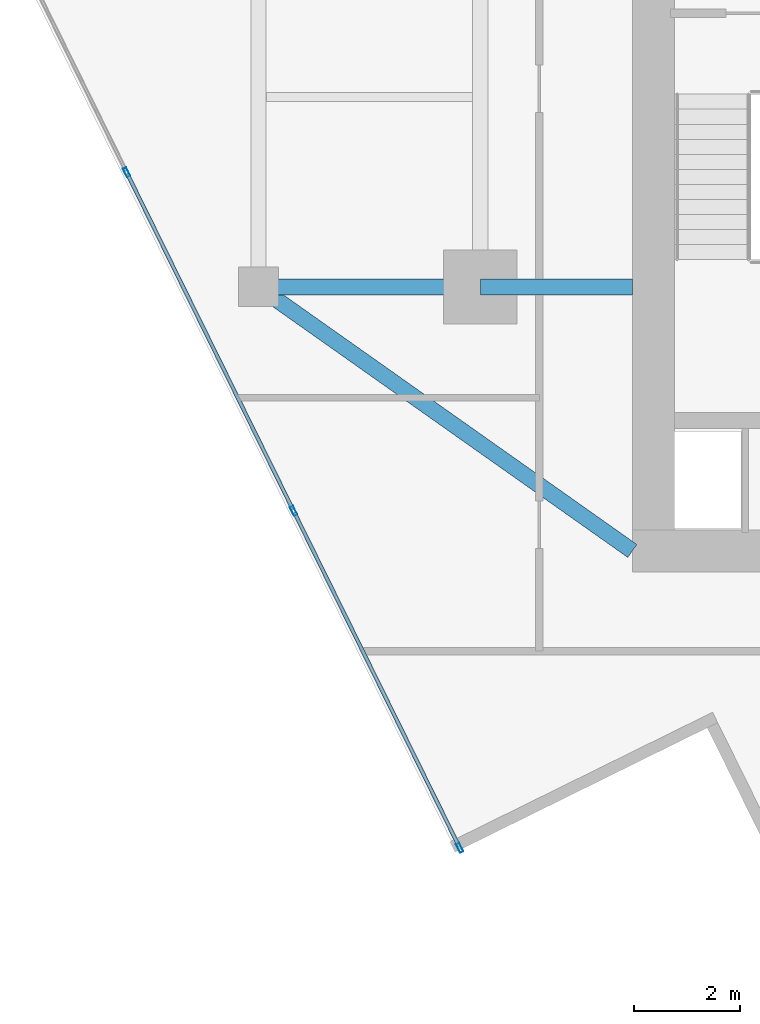
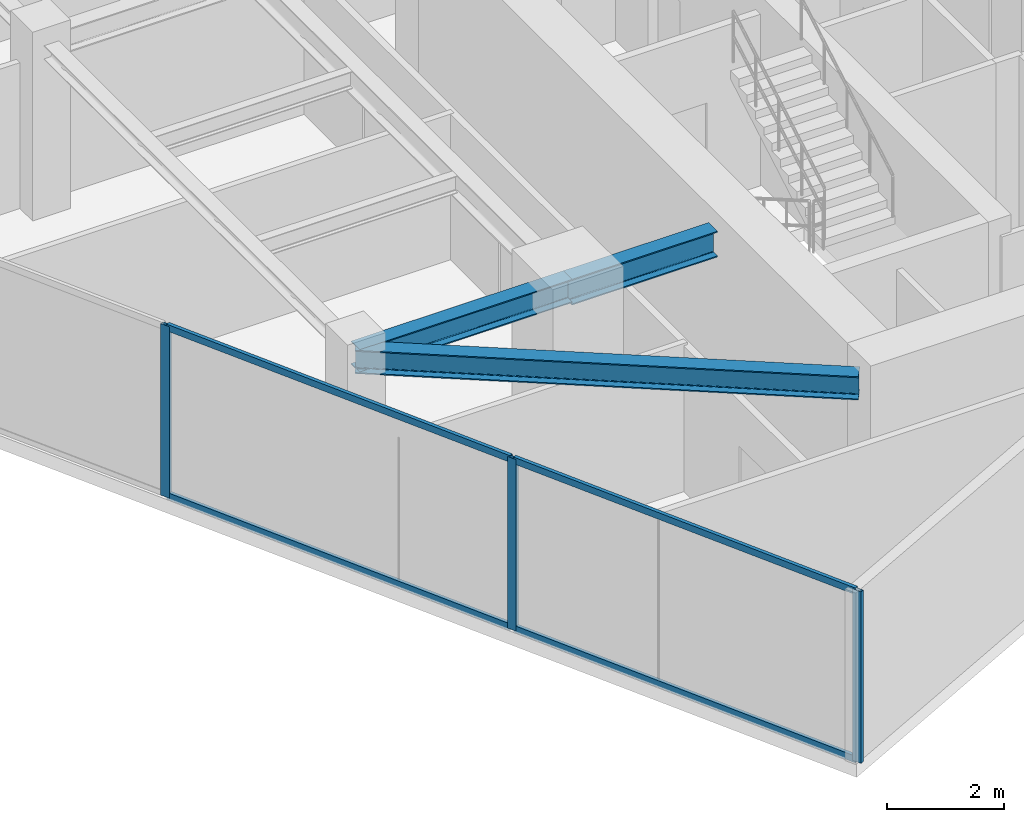
# One storey, part 2 of 22: 7 members, 3 beams, 1 element without a shape of its own.
"""IFC4 building model written with IfcOpenShell, lengths in metres."""

from ifc_helpers import new_model, si_unit, direction, frame, origin, origin_2d, place, context, subcontext, project, spatial, hollow_rectangle, i_section, extrude, source, transform, mapped, material, material_profile, profile_set, type_object, type_shapes, element, aggregate, save


model = new_model("IFC4")

# Units and contexts
model_context = context("Model", 3, precision=1e-05, world=origin(), true_north=direction((0.0, 1.0)))
body_context = subcontext(model_context, "Body", "Model", "MODEL_VIEW")
ifc_project = project(units=[si_unit("LENGTHUNIT", "METRE"), si_unit("AREAUNIT", "SQUARE_METRE"), si_unit("VOLUMEUNIT", "CUBIC_METRE"), si_unit("PLANEANGLEUNIT", "RADIAN"), si_unit("MASSUNIT", "GRAM", prefix="KILO")], contexts=[model_context])

# Site, building, storey
site_placement = place(None, origin())
site = spatial("IfcSite", under=ifc_project, at=site_placement, CompositionType="ELEMENT")
building_placement = place(site_placement, origin())
building = spatial("IfcBuilding", under=site, at=building_placement, Name="Krantzveldt Concourse Tower", CompositionType="ELEMENT")
storey_placement = place(building_placement, frame((0.0, 0.0, 314.800048828125)))
storey = spatial("IfcBuildingStorey", under=building, at=storey_placement, Name="L77", CompositionType="ELEMENT", Elevation=314.800048828125)

# Beams
ifc_material_1 = material(Name="Steel S355JR", Category="steel")
ifc_material_profile_1 = material_profile(ifc_material_1, i_section(OverallWidth=0.300048828125, OverallDepth=0.489990234375, WebThickness=0.011962890625, FlangeThickness=0.02294921875, FilletRadius=0.027099609375, at=origin_2d()), Name="Steel S355JR", Category="steel")
ifc_profile_set_1 = profile_set([ifc_material_profile_1], Name="Steel S355JR - HEA 500")
beam_type_1 = type_object("IfcBeamType", Name="BM-B-HEA500", PredefinedType="BEAM", material=ifc_profile_set_1)
shared_shape_1 = source(origin(), body_context, "Body", "SweptSolid", [
    extrude(i_section(OverallWidth=0.300048828125, OverallDepth=0.489990234375, WebThickness=0.011962890625, FlangeThickness=0.02294921875, FilletRadius=0.027099609375, at=origin_2d()), origin(), (0.0, 0.0, 1.0), 4.199951171875),
])
beam_1_placement = place(storey_placement, frame((21.0, 15.89990234375, 3.344970703125), z_axis=(1.0, 0.0, 0.0), x_axis=(0.0, 1.0, 0.0)))
element("IfcBeam", 1, at=beam_1_placement, inside=storey, type_object=beam_type_1, Name="L77 Tower Girder BR-RL1", PredefinedType="BEAM", context=body_context, shape_type="MappedRepresentation", body=[
    mapped(shared_shape_1, transform((0.0, 0.0, 0.0), x_axis=(1.0, 0.0, 0.0), y_axis=(0.0, 1.0, 0.0), z_axis=(0.0, 0.0, 1.0), scale=1.0)),
])
shared_shape_2 = source(origin(), body_context, "Body", "SweptSolid", [
    extrude(i_section(OverallWidth=0.300048828125, OverallDepth=0.489990234375, WebThickness=0.011962890625, FlangeThickness=0.02294921875, FilletRadius=0.027099609375, at=origin_2d()), origin(), (0.0, 0.0, 1.0), 8.667724609375),
])
type_shapes(beam_type_1, [shared_shape_1, shared_shape_2])
beam_2_placement = place(storey_placement, frame((21.0, 15.89990234375, 3.344970703125), z_axis=(0.81684294656, -0.576860122261, 0.0), x_axis=(0.576860122261, 0.81684294656, 0.0)))
element("IfcBeam", 2, at=beam_2_placement, inside=storey, type_object=beam_type_1, Name="L77 Tower Girder BR-CSW", PredefinedType="BEAM", context=body_context, shape_type="MappedRepresentation", body=[
    mapped(shared_shape_2, transform((0.0, 0.0, 0.0), x_axis=(1.0, 0.0, 0.0), y_axis=(0.0, 1.0, 0.0), z_axis=(0.0, 0.0, 1.0), scale=1.0)),
])
ifc_material_profile_2 = material_profile(ifc_material_1, i_section(OverallWidth=0.300048828125, OverallDepth=0.5400390625, WebThickness=0.012451171875, FlangeThickness=0.02392578125, FilletRadius=0.027099609375, at=origin_2d()), Name="Steel S355JR", Category="steel")
ifc_profile_set_2 = profile_set([ifc_material_profile_2], Name="Steel S355JR - HEA 550")
beam_type_2 = type_object("IfcBeamType", Name="BM-B-HEA550", PredefinedType="BEAM", material=ifc_profile_set_2)
shared_shape_3 = source(origin(), body_context, "Body", "SweptSolid", [
    extrude(i_section(OverallWidth=0.300048828125, OverallDepth=0.5400390625, WebThickness=0.012451171875, FlangeThickness=0.02392578125, FilletRadius=0.027099609375, at=origin_2d()), origin(), (0.0, 0.0, 1.0), 2.880126953125),
])
type_shapes(beam_type_2, [shared_shape_3])
beam_3_placement = place(storey_placement, frame((25.199951171875, 15.89990234375, 3.320068359375), z_axis=(1.0, 0.0, 0.0), x_axis=(0.0, 1.0, 0.0)))
element("IfcBeam", 3, at=beam_3_placement, inside=storey, type_object=beam_type_2, Name="L77 Tower Girder BG-CW1", PredefinedType="BEAM", context=body_context, shape_type="MappedRepresentation", body=[
    mapped(shared_shape_3, transform((0.0, 0.0, 0.0), x_axis=(1.0, 0.0, 0.0), y_axis=(0.0, 1.0, 0.0), z_axis=(0.0, 0.0, 1.0), scale=1.0)),
])

# Curtain wall, members
ifc_material_2 = material(Name="Anodised aluminium 6063-T6", Category="aluminium")
curtain_wall_type = type_object("IfcCurtainWallType", Name="CW4", PredefinedType="USERDEFINED", material=ifc_material_2)
curtain_wall_placement = place(storey_placement, origin())
curtain_wall = element("IfcCurtainWall", 4, at=curtain_wall_placement, inside=storey, type_object=curtain_wall_type, Name="CW-L77-F04", ObjectType="UNITISED CURTAIN WALL", PredefinedType="USERDEFINED")
ifc_material_profile_3 = material_profile(ifc_material_2, hollow_rectangle(XDim=0.070068359375, YDim=0.179931640625, WallThickness=0.0048828125, at=origin_2d()), Name="Anodised aluminium 6063-T6", Category="aluminium")
ifc_profile_set_3 = profile_set([ifc_material_profile_3], Name="Anodised aluminium 6063-T6 - ALU-MULL 180x70x5")
member_type_1 = type_object("IfcMemberType", Name="CW-MUL-180", PredefinedType="MULLION", material=ifc_profile_set_3)
shared_shape_4 = source(origin(), body_context, "Body", "SweptSolid", [
    extrude(hollow_rectangle(XDim=0.070068359375, YDim=0.179931640625, WallThickness=0.0048828125, at=origin_2d()), origin(), (0.0, 0.0, 1.0), 3.58984375),
])
type_shapes(member_type_1, [shared_shape_4])
member_1_placement = place(storey_placement, frame((18.501953125, 18.071044921875, 0.0), z_axis=(0.0, 0.0, 1.0), x_axis=(0.896872829457, 0.442288511927, 0.0)))
member_1 = element("IfcMember", 5, at=member_1_placement, type_object=member_type_1, Name="CW-Z56 mullion 3", PredefinedType="MULLION", context=body_context, shape_type="MappedRepresentation", body=[
    mapped(shared_shape_4, transform((0.0, 0.0, 0.0), x_axis=(1.0, 0.0, 0.0), y_axis=(0.0, 1.0, 0.0), z_axis=(0.0, 0.0, 1.0), scale=1.0)),
])
member_2_placement = place(storey_placement, frame((21.664306640625, 11.658203125, 0.0), z_axis=(0.0, 0.0, 1.0), x_axis=(0.896872829457, 0.442288511927, 0.0)))
member_2 = element("IfcMember", 6, at=member_2_placement, type_object=member_type_1, Name="CW-Z56 mullion 4", PredefinedType="MULLION", context=body_context, shape_type="MappedRepresentation", body=[
    mapped(shared_shape_4, transform((0.0, 0.0, 0.0), x_axis=(1.0, 0.0, 0.0), y_axis=(0.0, 1.0, 0.0), z_axis=(0.0, 0.0, 1.0), scale=1.0)),
])
member_3_placement = place(storey_placement, frame((24.811279296875, 5.277099609375, 0.0), z_axis=(0.0, 0.0, 1.0), x_axis=(0.896872829457, 0.442288511927, 0.0)))
member_3 = element("IfcMember", 7, at=member_3_placement, type_object=member_type_1, Name="CW-Z56 mullion 5", PredefinedType="MULLION", context=body_context, shape_type="MappedRepresentation", body=[
    mapped(shared_shape_4, transform((0.0, 0.0, 0.0), x_axis=(1.0, 0.0, 0.0), y_axis=(0.0, 1.0, 0.0), z_axis=(0.0, 0.0, 1.0), scale=1.0)),
])
ifc_material_profile_4 = material_profile(ifc_material_2, hollow_rectangle(XDim=0.070068359375, YDim=0.139892578125, WallThickness=0.0048828125, at=origin_2d()), Name="Anodised aluminium 6063-T6", Category="aluminium")
ifc_profile_set_4 = profile_set([ifc_material_profile_4], Name="Anodised aluminium 6063-T6 - ALU-TRAN 140x70x5")
member_type_2 = type_object("IfcMemberType", Name="CW-TRN-150", PredefinedType="USERDEFINED", material=ifc_profile_set_4)
shared_shape_5 = source(origin(), body_context, "Body", "SweptSolid", [
    extrude(hollow_rectangle(XDim=0.070068359375, YDim=0.139892578125, WallThickness=0.0048828125, at=origin_2d()), origin(), (0.0, 0.0, 1.0), 7.080078125),
])
member_4_placement = place(storey_placement, frame((18.517578125, 18.03955078125, 0.034912109375), z_axis=(0.442282604958, -0.896875742426, 0.0), x_axis=(0.896875742426, 0.442282604958, 0.0)))
member_4 = element("IfcMember", 8, at=member_4_placement, type_object=member_type_2, Name="CW-Z56 transom 3.1", ObjectType="TRANSOM", PredefinedType="USERDEFINED", context=body_context, shape_type="MappedRepresentation", body=[
    mapped(shared_shape_5, transform((0.0, 0.0, 0.0), x_axis=(1.0, 0.0, 0.0), y_axis=(0.0, 1.0, 0.0), z_axis=(0.0, 0.0, 1.0), scale=1.0)),
])
member_5_placement = place(storey_placement, frame((18.517578125, 18.03955078125, 3.554931640625), z_axis=(0.442282604958, -0.896875742426, 0.0), x_axis=(0.896875742426, 0.442282604958, 0.0)))
member_5 = element("IfcMember", 9, at=member_5_placement, type_object=member_type_2, Name="CW-Z56 transom 3.2", ObjectType="TRANSOM", PredefinedType="USERDEFINED", context=body_context, shape_type="MappedRepresentation", body=[
    mapped(shared_shape_5, transform((0.0, 0.0, 0.0), x_axis=(1.0, 0.0, 0.0), y_axis=(0.0, 1.0, 0.0), z_axis=(0.0, 0.0, 1.0), scale=1.0)),
])
shared_shape_6 = source(origin(), body_context, "Body", "SweptSolid", [
    extrude(hollow_rectangle(XDim=0.070068359375, YDim=0.139892578125, WallThickness=0.0048828125, at=origin_2d()), origin(), (0.0, 0.0, 1.0), 7.045166015625),
])
type_shapes(member_type_2, [shared_shape_5, shared_shape_6])
member_6_placement = place(storey_placement, frame((21.679931640625, 11.626953125, 0.034912109375), z_axis=(0.44228599274, -0.896874071777, 0.0), x_axis=(0.896874071777, 0.44228599274, 0.0)))
member_6 = element("IfcMember", 10, at=member_6_placement, type_object=member_type_2, Name="CW-Z56 transom 4.1", ObjectType="TRANSOM", PredefinedType="USERDEFINED", context=body_context, shape_type="MappedRepresentation", body=[
    mapped(shared_shape_6, transform((0.0, 0.0, 0.0), x_axis=(1.0, 0.0, 0.0), y_axis=(0.0, 1.0, 0.0), z_axis=(0.0, 0.0, 1.0), scale=1.0)),
])
member_7_placement = place(storey_placement, frame((21.679931640625, 11.626953125, 3.554931640625), z_axis=(0.44228599274, -0.896874071777, 0.0), x_axis=(0.896874071777, 0.44228599274, 0.0)))
member_7 = element("IfcMember", 11, at=member_7_placement, type_object=member_type_2, Name="CW-Z56 transom 4.2", ObjectType="TRANSOM", PredefinedType="USERDEFINED", context=body_context, shape_type="MappedRepresentation", body=[
    mapped(shared_shape_6, transform((0.0, 0.0, 0.0), x_axis=(1.0, 0.0, 0.0), y_axis=(0.0, 1.0, 0.0), z_axis=(0.0, 0.0, 1.0), scale=1.0)),
])
aggregate(curtain_wall, [member_1, member_2, member_3, member_4, member_5, member_6, member_7])

save(model, "model.ifc")
